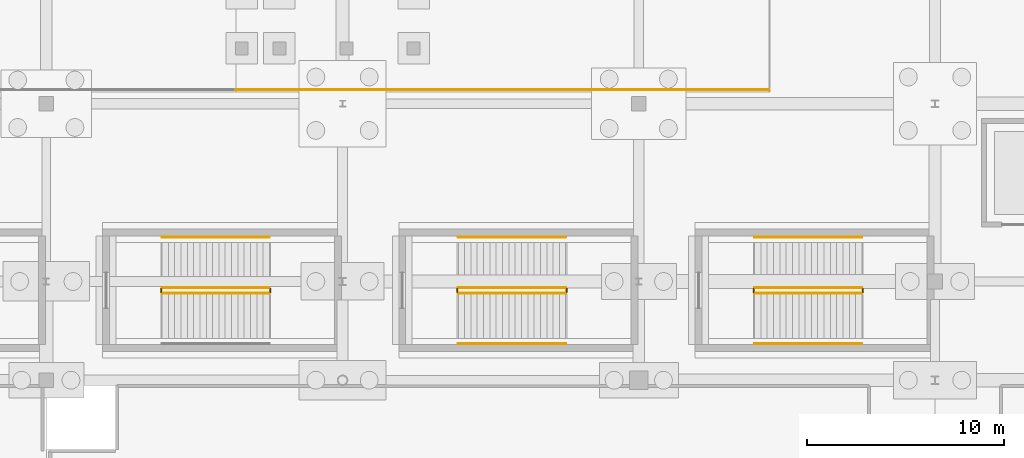
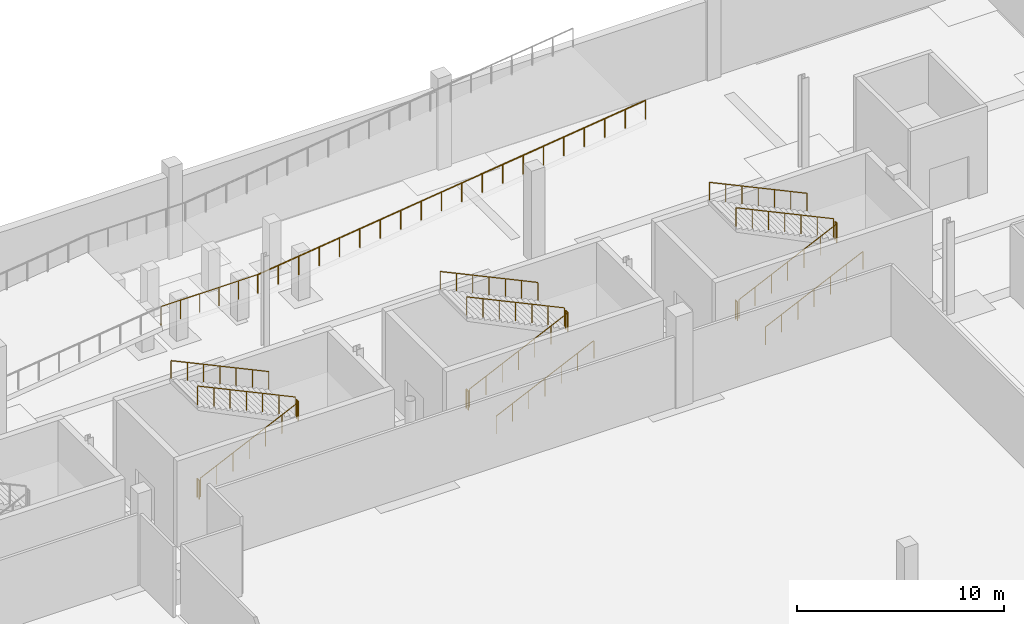
# One storey, part 52 of 58: 19 railings.
"""IFC4 building model written with IfcOpenShell, lengths in metres."""

from ifc_helpers import new_model, si_unit, direction, frame, origin, origin_2d, place, context, subcontext, project, spatial, circle, extrude, material, type_object, element, save


model = new_model("IFC4")

# Units and contexts
model_context = context("Model", 3, precision=1e-05, world=origin(), true_north=direction((0.0, 1.0)))
body_context = subcontext(model_context, "Body", "Model", "MODEL_VIEW")
ifc_project = project(units=[si_unit("LENGTHUNIT", "METRE"), si_unit("AREAUNIT", "SQUARE_METRE"), si_unit("VOLUMEUNIT", "CUBIC_METRE"), si_unit("PLANEANGLEUNIT", "RADIAN"), si_unit("MASSUNIT", "GRAM", prefix="KILO")], contexts=[model_context])

# Site, building, storey
site_placement = place(None, origin())
site = spatial("IfcSite", under=ifc_project, at=site_placement, CompositionType="ELEMENT")
building_placement = place(site_placement, origin())
building = spatial("IfcBuilding", under=site, at=building_placement, Name="Qamarlyn Nura Convention Centre", CompositionType="ELEMENT")
storey_placement = place(building_placement, frame((0.0, 0.0, -5.39990234375)))
storey = spatial("IfcBuildingStorey", under=building, at=storey_placement, Name="B01", CompositionType="ELEMENT", Elevation=-5.39990234375)

# Railings
ifc_material = material(Name="Marine Grade 316 stainless steel", Category="steel")
railing_type_1 = type_object("IfcRailingType", Name="GRD-STAIR-112", PredefinedType="BALUSTRADE", material=ifc_material)
railing_1_placement = place(storey_placement, frame((35.860107421875, 107.409912109375, 0.14990234375)))
element("IfcRailing", 1, at=railing_1_placement, inside=storey, type_object=railing_type_1, Name="B01 ST-02 stair guard 1", PredefinedType="BALUSTRADE", context=body_context, shape_type="SweptSolid", body=[
    extrude(circle(Radius=0.02392578125, at=origin_2d()), frame((0.0, 0.0, 1.09619140625), z_axis=(0.90545405566, 0.0, 0.424444287379), x_axis=(0.0, 1.0, 0.0)), (0.0, 0.0, 1.0), 6.008056640625),
    extrude(circle(Radius=0.02099609375, at=origin_2d()), origin(), (0.0, 0.0, 1.0), 1.070068359375),
    extrude(circle(Radius=0.02099609375, at=origin_2d()), frame((0.90673828125, 0.0, 0.425048828125)), (0.0, 0.0, 1.0), 1.070068359375),
    extrude(circle(Radius=0.02099609375, at=origin_2d()), frame((1.813232421875, 0.0, 0.85009765625)), (0.0, 0.0, 1.0), 1.070068359375),
    extrude(circle(Radius=0.02099609375, at=origin_2d()), frame((2.719970703125, 0.0, 1.27490234375)), (0.0, 0.0, 1.0), 1.070068359375),
    extrude(circle(Radius=0.02099609375, at=origin_2d()), frame((3.626708984375, 0.0, 1.699951171875)), (0.0, 0.0, 1.0), 1.070068359375),
    extrude(circle(Radius=0.02099609375, at=origin_2d()), frame((4.533203125, 0.0, 2.125)), (0.0, 0.0, 1.0), 1.070068359375),
    extrude(circle(Radius=0.02099609375, at=origin_2d()), frame((5.43994140625, 0.0, 2.550048828125)), (0.0, 0.0, 1.0), 1.070068359375),
])
railing_2_placement = place(storey_placement, frame((41.35009765625, 107.4599609375, 2.699951171875)))
element("IfcRailing", 2, at=railing_2_placement, inside=storey, type_object=railing_type_1, Name="B01 ST-02 stair guard 2", PredefinedType="BALUSTRADE", context=body_context, shape_type="SweptSolid", body=[
    extrude(circle(Radius=0.02392578125, at=origin_2d()), frame((0.0, 0.0, 1.09619140625), z_axis=(0.0, 1.0, 0.0), x_axis=(-1.0, 0.0, 0.0)), (0.0, 0.0, 1.0), 0.179931640625),
    extrude(circle(Radius=0.02099609375, at=origin_2d()), origin(), (0.0, 0.0, 1.0), 1.070068359375),
    extrude(circle(Radius=0.02099609375, at=origin_2d()), frame((0.0, 0.179931640625, 0.0)), (0.0, 0.0, 1.0), 1.070068359375),
])
railing_3_placement = place(storey_placement, frame((41.300048828125, 107.68994140625, 2.849853515625)))
element("IfcRailing", 3, at=railing_3_placement, inside=storey, type_object=railing_type_1, Name="B01 ST-02 stair guard 3", PredefinedType="BALUSTRADE", context=body_context, shape_type="SweptSolid", body=[
    extrude(circle(Radius=0.02392578125, at=origin_2d()), frame((0.0, 0.0, 1.09619140625), z_axis=(-0.90545405566, 0.0, 0.424444287379), x_axis=(0.0, -1.0, 0.0)), (0.0, 0.0, 1.0), 6.008056640625),
    extrude(circle(Radius=0.02099609375, at=origin_2d()), origin(), (0.0, 0.0, 1.0), 1.070068359375),
    extrude(circle(Radius=0.02099609375, at=origin_2d()), frame((-0.90673828125, 0.0, 0.425048828125)), (0.0, 0.0, 1.0), 1.070068359375),
    extrude(circle(Radius=0.02099609375, at=origin_2d()), frame((-1.813232421875, 0.0, 0.85009765625)), (0.0, 0.0, 1.0), 1.070068359375),
    extrude(circle(Radius=0.02099609375, at=origin_2d()), frame((-2.719970703125, 0.0, 1.27490234375)), (0.0, 0.0, 1.0), 1.070068359375),
    extrude(circle(Radius=0.02099609375, at=origin_2d()), frame((-3.626708984375, 0.0, 1.699951171875)), (0.0, 0.0, 1.0), 1.070068359375),
    extrude(circle(Radius=0.02099609375, at=origin_2d()), frame((-4.533203125, 0.0, 2.125)), (0.0, 0.0, 1.0), 1.070068359375),
    extrude(circle(Radius=0.02099609375, at=origin_2d()), frame((-5.43994140625, 0.0, 2.550048828125)), (0.0, 0.0, 1.0), 1.070068359375),
])
railing_4_placement = place(storey_placement, frame((35.81005859375, 107.4599609375, 0.0)))
element("IfcRailing", 4, at=railing_4_placement, inside=storey, type_object=railing_type_1, Name="B01 ST-02 stair guard 4", PredefinedType="BALUSTRADE", context=body_context, shape_type="SweptSolid", body=[
    extrude(circle(Radius=0.02392578125, at=origin_2d()), frame((0.0, 0.0, 1.09619140625), z_axis=(0.0, 1.0, 0.0), x_axis=(-1.0, 0.0, 0.0)), (0.0, 0.0, 1.0), 0.179931640625),
    extrude(circle(Radius=0.02099609375, at=origin_2d()), origin(), (0.0, 0.0, 1.0), 1.070068359375),
    extrude(circle(Radius=0.02099609375, at=origin_2d()), frame((0.0, 0.179931640625, 0.0)), (0.0, 0.0, 1.0), 1.070068359375),
])
railing_5_placement = place(storey_placement, frame((50.860107421875, 107.409912109375, 0.14990234375)))
element("IfcRailing", 5, at=railing_5_placement, inside=storey, type_object=railing_type_1, Name="B01 ST-03 stair guard 1", PredefinedType="BALUSTRADE", context=body_context, shape_type="SweptSolid", body=[
    extrude(circle(Radius=0.02392578125, at=origin_2d()), frame((0.0, 0.0, 1.09619140625), z_axis=(0.90545405566, 0.0, 0.424444287379), x_axis=(0.0, 1.0, 0.0)), (0.0, 0.0, 1.0), 6.008056640625),
    extrude(circle(Radius=0.02099609375, at=origin_2d()), origin(), (0.0, 0.0, 1.0), 1.070068359375),
    extrude(circle(Radius=0.02099609375, at=origin_2d()), frame((0.90673828125, 0.0, 0.425048828125)), (0.0, 0.0, 1.0), 1.070068359375),
    extrude(circle(Radius=0.02099609375, at=origin_2d()), frame((1.813232421875, 0.0, 0.85009765625)), (0.0, 0.0, 1.0), 1.070068359375),
    extrude(circle(Radius=0.02099609375, at=origin_2d()), frame((2.719970703125, 0.0, 1.27490234375)), (0.0, 0.0, 1.0), 1.070068359375),
    extrude(circle(Radius=0.02099609375, at=origin_2d()), frame((3.626708984375, 0.0, 1.699951171875)), (0.0, 0.0, 1.0), 1.070068359375),
    extrude(circle(Radius=0.02099609375, at=origin_2d()), frame((4.533203125, 0.0, 2.125)), (0.0, 0.0, 1.0), 1.070068359375),
    extrude(circle(Radius=0.02099609375, at=origin_2d()), frame((5.43994140625, 0.0, 2.550048828125)), (0.0, 0.0, 1.0), 1.070068359375),
])
railing_6_placement = place(storey_placement, frame((56.35009765625, 107.4599609375, 2.699951171875)))
element("IfcRailing", 6, at=railing_6_placement, inside=storey, type_object=railing_type_1, Name="B01 ST-03 stair guard 2", PredefinedType="BALUSTRADE", context=body_context, shape_type="SweptSolid", body=[
    extrude(circle(Radius=0.02392578125, at=origin_2d()), frame((0.0, 0.0, 1.09619140625), z_axis=(0.0, 1.0, 0.0), x_axis=(-1.0, 0.0, 0.0)), (0.0, 0.0, 1.0), 0.179931640625),
    extrude(circle(Radius=0.02099609375, at=origin_2d()), origin(), (0.0, 0.0, 1.0), 1.070068359375),
    extrude(circle(Radius=0.02099609375, at=origin_2d()), frame((0.0, 0.179931640625, 0.0)), (0.0, 0.0, 1.0), 1.070068359375),
])
railing_7_placement = place(storey_placement, frame((56.300048828125, 107.68994140625, 2.849853515625)))
element("IfcRailing", 7, at=railing_7_placement, inside=storey, type_object=railing_type_1, Name="B01 ST-03 stair guard 3", PredefinedType="BALUSTRADE", context=body_context, shape_type="SweptSolid", body=[
    extrude(circle(Radius=0.02392578125, at=origin_2d()), frame((0.0, 0.0, 1.09619140625), z_axis=(-0.90545405566, 0.0, 0.424444287379), x_axis=(0.0, -1.0, 0.0)), (0.0, 0.0, 1.0), 6.008056640625),
    extrude(circle(Radius=0.02099609375, at=origin_2d()), origin(), (0.0, 0.0, 1.0), 1.070068359375),
    extrude(circle(Radius=0.02099609375, at=origin_2d()), frame((-0.90673828125, 0.0, 0.425048828125)), (0.0, 0.0, 1.0), 1.070068359375),
    extrude(circle(Radius=0.02099609375, at=origin_2d()), frame((-1.813232421875, 0.0, 0.85009765625)), (0.0, 0.0, 1.0), 1.070068359375),
    extrude(circle(Radius=0.02099609375, at=origin_2d()), frame((-2.719970703125, 0.0, 1.27490234375)), (0.0, 0.0, 1.0), 1.070068359375),
    extrude(circle(Radius=0.02099609375, at=origin_2d()), frame((-3.626708984375, 0.0, 1.699951171875)), (0.0, 0.0, 1.0), 1.070068359375),
    extrude(circle(Radius=0.02099609375, at=origin_2d()), frame((-4.533203125, 0.0, 2.125)), (0.0, 0.0, 1.0), 1.070068359375),
    extrude(circle(Radius=0.02099609375, at=origin_2d()), frame((-5.43994140625, 0.0, 2.550048828125)), (0.0, 0.0, 1.0), 1.070068359375),
])
railing_8_placement = place(storey_placement, frame((50.81005859375, 107.4599609375, 0.0)))
element("IfcRailing", 8, at=railing_8_placement, inside=storey, type_object=railing_type_1, Name="B01 ST-03 stair guard 4", PredefinedType="BALUSTRADE", context=body_context, shape_type="SweptSolid", body=[
    extrude(circle(Radius=0.02392578125, at=origin_2d()), frame((0.0, 0.0, 1.09619140625), z_axis=(0.0, 1.0, 0.0), x_axis=(-1.0, 0.0, 0.0)), (0.0, 0.0, 1.0), 0.179931640625),
    extrude(circle(Radius=0.02099609375, at=origin_2d()), origin(), (0.0, 0.0, 1.0), 1.070068359375),
    extrude(circle(Radius=0.02099609375, at=origin_2d()), frame((0.0, 0.179931640625, 0.0)), (0.0, 0.0, 1.0), 1.070068359375),
])
railing_9_placement = place(storey_placement, frame((65.860107421875, 107.409912109375, 0.14990234375)))
element("IfcRailing", 9, at=railing_9_placement, inside=storey, type_object=railing_type_1, Name="B01 ST-04 stair guard 1", PredefinedType="BALUSTRADE", context=body_context, shape_type="SweptSolid", body=[
    extrude(circle(Radius=0.02392578125, at=origin_2d()), frame((0.0, 0.0, 1.09619140625), z_axis=(0.90545405566, 0.0, 0.424444287379), x_axis=(0.0, 1.0, 0.0)), (0.0, 0.0, 1.0), 6.008056640625),
    extrude(circle(Radius=0.02099609375, at=origin_2d()), origin(), (0.0, 0.0, 1.0), 1.070068359375),
    extrude(circle(Radius=0.02099609375, at=origin_2d()), frame((0.90673828125, 0.0, 0.425048828125)), (0.0, 0.0, 1.0), 1.070068359375),
    extrude(circle(Radius=0.02099609375, at=origin_2d()), frame((1.813232421875, 0.0, 0.85009765625)), (0.0, 0.0, 1.0), 1.070068359375),
    extrude(circle(Radius=0.02099609375, at=origin_2d()), frame((2.719970703125, 0.0, 1.27490234375)), (0.0, 0.0, 1.0), 1.070068359375),
    extrude(circle(Radius=0.02099609375, at=origin_2d()), frame((3.626708984375, 0.0, 1.699951171875)), (0.0, 0.0, 1.0), 1.070068359375),
    extrude(circle(Radius=0.02099609375, at=origin_2d()), frame((4.533203125, 0.0, 2.125)), (0.0, 0.0, 1.0), 1.070068359375),
    extrude(circle(Radius=0.02099609375, at=origin_2d()), frame((5.43994140625, 0.0, 2.550048828125)), (0.0, 0.0, 1.0), 1.070068359375),
])
railing_10_placement = place(storey_placement, frame((71.35009765625, 107.4599609375, 2.699951171875)))
element("IfcRailing", 10, at=railing_10_placement, inside=storey, type_object=railing_type_1, Name="B01 ST-04 stair guard 2", PredefinedType="BALUSTRADE", context=body_context, shape_type="SweptSolid", body=[
    extrude(circle(Radius=0.02392578125, at=origin_2d()), frame((0.0, 0.0, 1.09619140625), z_axis=(0.0, 1.0, 0.0), x_axis=(-1.0, 0.0, 0.0)), (0.0, 0.0, 1.0), 0.179931640625),
    extrude(circle(Radius=0.02099609375, at=origin_2d()), origin(), (0.0, 0.0, 1.0), 1.070068359375),
    extrude(circle(Radius=0.02099609375, at=origin_2d()), frame((0.0, 0.179931640625, 0.0)), (0.0, 0.0, 1.0), 1.070068359375),
])
railing_11_placement = place(storey_placement, frame((71.300048828125, 107.68994140625, 2.849853515625)))
element("IfcRailing", 11, at=railing_11_placement, inside=storey, type_object=railing_type_1, Name="B01 ST-04 stair guard 3", PredefinedType="BALUSTRADE", context=body_context, shape_type="SweptSolid", body=[
    extrude(circle(Radius=0.02392578125, at=origin_2d()), frame((0.0, 0.0, 1.09619140625), z_axis=(-0.90545405566, 0.0, 0.424444287379), x_axis=(0.0, -1.0, 0.0)), (0.0, 0.0, 1.0), 6.008056640625),
    extrude(circle(Radius=0.02099609375, at=origin_2d()), origin(), (0.0, 0.0, 1.0), 1.070068359375),
    extrude(circle(Radius=0.02099609375, at=origin_2d()), frame((-0.90673828125, 0.0, 0.425048828125)), (0.0, 0.0, 1.0), 1.070068359375),
    extrude(circle(Radius=0.02099609375, at=origin_2d()), frame((-1.813232421875, 0.0, 0.85009765625)), (0.0, 0.0, 1.0), 1.070068359375),
    extrude(circle(Radius=0.02099609375, at=origin_2d()), frame((-2.719970703125, 0.0, 1.27490234375)), (0.0, 0.0, 1.0), 1.070068359375),
    extrude(circle(Radius=0.02099609375, at=origin_2d()), frame((-3.626708984375, 0.0, 1.699951171875)), (0.0, 0.0, 1.0), 1.070068359375),
    extrude(circle(Radius=0.02099609375, at=origin_2d()), frame((-4.533203125, 0.0, 2.125)), (0.0, 0.0, 1.0), 1.070068359375),
    extrude(circle(Radius=0.02099609375, at=origin_2d()), frame((-5.43994140625, 0.0, 2.550048828125)), (0.0, 0.0, 1.0), 1.070068359375),
])
railing_12_placement = place(storey_placement, frame((65.81005859375, 107.4599609375, 0.0)))
element("IfcRailing", 12, at=railing_12_placement, inside=storey, type_object=railing_type_1, Name="B01 ST-04 stair guard 4", PredefinedType="BALUSTRADE", context=body_context, shape_type="SweptSolid", body=[
    extrude(circle(Radius=0.02392578125, at=origin_2d()), frame((0.0, 0.0, 1.09619140625), z_axis=(0.0, 1.0, 0.0), x_axis=(-1.0, 0.0, 0.0)), (0.0, 0.0, 1.0), 0.179931640625),
    extrude(circle(Radius=0.02099609375, at=origin_2d()), origin(), (0.0, 0.0, 1.0), 1.070068359375),
    extrude(circle(Radius=0.02099609375, at=origin_2d()), frame((0.0, 0.179931640625, 0.0)), (0.0, 0.0, 1.0), 1.070068359375),
])
railing_13_placement = place(storey_placement, frame((39.60009765625, 117.699951171875, 2.699951171875)))
element("IfcRailing", 13, at=railing_13_placement, inside=storey, type_object=railing_type_1, Name="Car park ramp side guard 1-2", PredefinedType="BALUSTRADE", context=body_context, shape_type="SweptSolid", body=[
    extrude(circle(Radius=0.02392578125, at=origin_2d()), frame((0.0, 0.0, 1.09619140625), z_axis=(1.0, 0.0, 0.0), x_axis=(0.0, 1.0, 0.0)), (0.0, 0.0, 1.0), 5.39990234375),
    extrude(circle(Radius=0.02099609375, at=origin_2d()), origin(), (0.0, 0.0, 1.0), 1.070068359375),
    extrude(circle(Radius=0.02099609375, at=origin_2d()), frame((1.080078125, 0.0, 0.0)), (0.0, 0.0, 1.0), 1.070068359375),
    extrude(circle(Radius=0.02099609375, at=origin_2d()), frame((2.159912109375, 0.0, 0.0)), (0.0, 0.0, 1.0), 1.070068359375),
    extrude(circle(Radius=0.02099609375, at=origin_2d()), frame((3.239990234375, 0.0, 0.0)), (0.0, 0.0, 1.0), 1.070068359375),
    extrude(circle(Radius=0.02099609375, at=origin_2d()), frame((4.31982421875, 0.0, 0.0)), (0.0, 0.0, 1.0), 1.070068359375),
    extrude(circle(Radius=0.02099609375, at=origin_2d()), frame((5.39990234375, 0.0, 0.0)), (0.0, 0.0, 1.0), 1.070068359375),
])
railing_14_placement = place(storey_placement, frame((45.0, 117.699951171875, 2.699951171875)))
element("IfcRailing", 14, at=railing_14_placement, inside=storey, type_object=railing_type_1, Name="Car park ramp side guard 1-3", PredefinedType="BALUSTRADE", context=body_context, shape_type="SweptSolid", body=[
    extrude(circle(Radius=0.02392578125, at=origin_2d()), frame((0.0, 0.0, 1.09619140625), z_axis=(0.992278221801, 0.0, 0.124031973856), x_axis=(0.0, 1.0, 0.0)), (0.0, 0.0, 1.0), 21.76806640625),
    extrude(circle(Radius=0.02099609375, at=origin_2d()), origin(), (0.0, 0.0, 1.0), 1.070068359375),
    extrude(circle(Radius=0.02099609375, at=origin_2d()), frame((1.136962890625, 0.0, 0.14208984375)), (0.0, 0.0, 1.0), 1.070068359375),
    extrude(circle(Radius=0.02099609375, at=origin_2d()), frame((2.273681640625, 0.0, 0.2841796875)), (0.0, 0.0, 1.0), 1.070068359375),
    extrude(circle(Radius=0.02099609375, at=origin_2d()), frame((3.41064453125, 0.0, 0.42626953125)), (0.0, 0.0, 1.0), 1.070068359375),
    extrude(circle(Radius=0.02099609375, at=origin_2d()), frame((4.54736328125, 0.0, 0.568359375)), (0.0, 0.0, 1.0), 1.070068359375),
    extrude(circle(Radius=0.02099609375, at=origin_2d()), frame((5.684326171875, 0.0, 0.71044921875)), (0.0, 0.0, 1.0), 1.070068359375),
    extrude(circle(Radius=0.02099609375, at=origin_2d()), frame((6.821044921875, 0.0, 0.8525390625)), (0.0, 0.0, 1.0), 1.070068359375),
    extrude(circle(Radius=0.02099609375, at=origin_2d()), frame((7.9580078125, 0.0, 0.99462890625)), (0.0, 0.0, 1.0), 1.070068359375),
    extrude(circle(Radius=0.02099609375, at=origin_2d()), frame((9.0947265625, 0.0, 1.13671875)), (0.0, 0.0, 1.0), 1.070068359375),
    extrude(circle(Radius=0.02099609375, at=origin_2d()), frame((10.231689453125, 0.0, 1.27880859375)), (0.0, 0.0, 1.0), 1.070068359375),
    extrude(circle(Radius=0.02099609375, at=origin_2d()), frame((11.368408203125, 0.0, 1.421142578125)), (0.0, 0.0, 1.0), 1.070068359375),
    extrude(circle(Radius=0.02099609375, at=origin_2d()), frame((12.50537109375, 0.0, 1.563232421875)), (0.0, 0.0, 1.0), 1.070068359375),
    extrude(circle(Radius=0.02099609375, at=origin_2d()), frame((13.64208984375, 0.0, 1.705322265625)), (0.0, 0.0, 1.0), 1.070068359375),
    extrude(circle(Radius=0.02099609375, at=origin_2d()), frame((14.779052734375, 0.0, 1.847412109375)), (0.0, 0.0, 1.0), 1.070068359375),
    extrude(circle(Radius=0.02099609375, at=origin_2d()), frame((15.915771484375, 0.0, 1.989501953125)), (0.0, 0.0, 1.0), 1.070068359375),
    extrude(circle(Radius=0.02099609375, at=origin_2d()), frame((17.052734375, 0.0, 2.131591796875)), (0.0, 0.0, 1.0), 1.070068359375),
    extrude(circle(Radius=0.02099609375, at=origin_2d()), frame((18.189453125, 0.0, 2.273681640625)), (0.0, 0.0, 1.0), 1.070068359375),
    extrude(circle(Radius=0.02099609375, at=origin_2d()), frame((19.326416015625, 0.0, 2.415771484375)), (0.0, 0.0, 1.0), 1.070068359375),
    extrude(circle(Radius=0.02099609375, at=origin_2d()), frame((20.463134765625, 0.0, 2.557861328125)), (0.0, 0.0, 1.0), 1.070068359375),
    extrude(circle(Radius=0.02099609375, at=origin_2d()), frame((21.60009765625, 0.0, 2.699951171875)), (0.0, 0.0, 1.0), 1.070068359375),
])
railing_type_2 = type_object("IfcRailingType", Name="HRL-STAIR-090", PredefinedType="HANDRAIL", material=ifc_material)
railing_15_placement = place(storey_placement, frame((41.300048828125, 110.25, 3.002197265625)))
element("IfcRailing", 15, at=railing_15_placement, inside=storey, type_object=railing_type_2, Name="B01 ST-02 stair handrail 2", PredefinedType="HANDRAIL", context=body_context, shape_type="SweptSolid", body=[
    extrude(circle(Radius=0.02392578125, at=origin_2d()), frame((0.0, 0.0, 0.88818359375), z_axis=(-0.90545405566, 0.0, 0.424444287379), x_axis=(0.0, -1.0, 0.0)), (0.0, 0.0, 1.0), 6.008056640625),
    extrude(circle(Radius=0.02099609375, at=origin_2d()), frame((0.0, 0.0, -0.155029296875)), (0.0, 0.0, 1.0), 1.01708984375),
    extrude(circle(Radius=0.02099609375, at=origin_2d()), frame((-0.90673828125, 0.0, 0.27001953125)), (0.0, 0.0, 1.0), 1.01708984375),
    extrude(circle(Radius=0.02099609375, at=origin_2d()), frame((-1.813232421875, 0.0, 0.695068359375)), (0.0, 0.0, 1.0), 1.01708984375),
    extrude(circle(Radius=0.02099609375, at=origin_2d()), frame((-2.719970703125, 0.0, 1.1201171875)), (0.0, 0.0, 1.0), 1.01708984375),
    extrude(circle(Radius=0.02099609375, at=origin_2d()), frame((-3.626708984375, 0.0, 1.544921875)), (0.0, 0.0, 1.0), 1.01708984375),
    extrude(circle(Radius=0.02099609375, at=origin_2d()), frame((-4.533203125, 0.0, 1.969970703125)), (0.0, 0.0, 1.0), 1.01708984375),
    extrude(circle(Radius=0.02099609375, at=origin_2d()), frame((-5.43994140625, 0.0, 2.39501953125)), (0.0, 0.0, 1.0), 1.01708984375),
])
railing_16_placement = place(storey_placement, frame((50.860107421875, 104.85009765625, 0.30224609375)))
element("IfcRailing", 16, at=railing_16_placement, inside=storey, type_object=railing_type_2, Name="B01 ST-03 stair handrail 1", PredefinedType="HANDRAIL", context=body_context, shape_type="SweptSolid", body=[
    extrude(circle(Radius=0.02392578125, at=origin_2d()), frame((0.0, 0.0, 0.88818359375), z_axis=(0.90545405566, 0.0, 0.424444287379), x_axis=(0.0, 1.0, 0.0)), (0.0, 0.0, 1.0), 6.008056640625),
    extrude(circle(Radius=0.02099609375, at=origin_2d()), frame((0.0, 0.0, -0.155029296875)), (0.0, 0.0, 1.0), 1.01708984375),
    extrude(circle(Radius=0.02099609375, at=origin_2d()), frame((0.90673828125, 0.0, 0.27001953125)), (0.0, 0.0, 1.0), 1.01708984375),
    extrude(circle(Radius=0.02099609375, at=origin_2d()), frame((1.813232421875, 0.0, 0.695068359375)), (0.0, 0.0, 1.0), 1.01708984375),
    extrude(circle(Radius=0.02099609375, at=origin_2d()), frame((2.719970703125, 0.0, 1.1201171875)), (0.0, 0.0, 1.0), 1.01708984375),
    extrude(circle(Radius=0.02099609375, at=origin_2d()), frame((3.626708984375, 0.0, 1.544921875)), (0.0, 0.0, 1.0), 1.01708984375),
    extrude(circle(Radius=0.02099609375, at=origin_2d()), frame((4.533203125, 0.0, 1.969970703125)), (0.0, 0.0, 1.0), 1.01708984375),
    extrude(circle(Radius=0.02099609375, at=origin_2d()), frame((5.43994140625, 0.0, 2.39501953125)), (0.0, 0.0, 1.0), 1.01708984375),
])
railing_17_placement = place(storey_placement, frame((56.300048828125, 110.25, 3.002197265625)))
element("IfcRailing", 17, at=railing_17_placement, inside=storey, type_object=railing_type_2, Name="B01 ST-03 stair handrail 2", PredefinedType="HANDRAIL", context=body_context, shape_type="SweptSolid", body=[
    extrude(circle(Radius=0.02392578125, at=origin_2d()), frame((0.0, 0.0, 0.88818359375), z_axis=(-0.90545405566, 0.0, 0.424444287379), x_axis=(0.0, -1.0, 0.0)), (0.0, 0.0, 1.0), 6.008056640625),
    extrude(circle(Radius=0.02099609375, at=origin_2d()), frame((0.0, 0.0, -0.155029296875)), (0.0, 0.0, 1.0), 1.01708984375),
    extrude(circle(Radius=0.02099609375, at=origin_2d()), frame((-0.90673828125, 0.0, 0.27001953125)), (0.0, 0.0, 1.0), 1.01708984375),
    extrude(circle(Radius=0.02099609375, at=origin_2d()), frame((-1.813232421875, 0.0, 0.695068359375)), (0.0, 0.0, 1.0), 1.01708984375),
    extrude(circle(Radius=0.02099609375, at=origin_2d()), frame((-2.719970703125, 0.0, 1.1201171875)), (0.0, 0.0, 1.0), 1.01708984375),
    extrude(circle(Radius=0.02099609375, at=origin_2d()), frame((-3.626708984375, 0.0, 1.544921875)), (0.0, 0.0, 1.0), 1.01708984375),
    extrude(circle(Radius=0.02099609375, at=origin_2d()), frame((-4.533203125, 0.0, 1.969970703125)), (0.0, 0.0, 1.0), 1.01708984375),
    extrude(circle(Radius=0.02099609375, at=origin_2d()), frame((-5.43994140625, 0.0, 2.39501953125)), (0.0, 0.0, 1.0), 1.01708984375),
])
railing_18_placement = place(storey_placement, frame((65.860107421875, 104.85009765625, 0.30224609375)))
element("IfcRailing", 18, at=railing_18_placement, inside=storey, type_object=railing_type_2, Name="B01 ST-04 stair handrail 1", PredefinedType="HANDRAIL", context=body_context, shape_type="SweptSolid", body=[
    extrude(circle(Radius=0.02392578125, at=origin_2d()), frame((0.0, 0.0, 0.88818359375), z_axis=(0.90545405566, 0.0, 0.424444287379), x_axis=(0.0, 1.0, 0.0)), (0.0, 0.0, 1.0), 6.008056640625),
    extrude(circle(Radius=0.02099609375, at=origin_2d()), frame((0.0, 0.0, -0.155029296875)), (0.0, 0.0, 1.0), 1.01708984375),
    extrude(circle(Radius=0.02099609375, at=origin_2d()), frame((0.90673828125, 0.0, 0.27001953125)), (0.0, 0.0, 1.0), 1.01708984375),
    extrude(circle(Radius=0.02099609375, at=origin_2d()), frame((1.813232421875, 0.0, 0.695068359375)), (0.0, 0.0, 1.0), 1.01708984375),
    extrude(circle(Radius=0.02099609375, at=origin_2d()), frame((2.719970703125, 0.0, 1.1201171875)), (0.0, 0.0, 1.0), 1.01708984375),
    extrude(circle(Radius=0.02099609375, at=origin_2d()), frame((3.626708984375, 0.0, 1.544921875)), (0.0, 0.0, 1.0), 1.01708984375),
    extrude(circle(Radius=0.02099609375, at=origin_2d()), frame((4.533203125, 0.0, 1.969970703125)), (0.0, 0.0, 1.0), 1.01708984375),
    extrude(circle(Radius=0.02099609375, at=origin_2d()), frame((5.43994140625, 0.0, 2.39501953125)), (0.0, 0.0, 1.0), 1.01708984375),
])
railing_19_placement = place(storey_placement, frame((71.300048828125, 110.25, 3.002197265625)))
element("IfcRailing", 19, at=railing_19_placement, inside=storey, type_object=railing_type_2, Name="B01 ST-04 stair handrail 2", PredefinedType="HANDRAIL", context=body_context, shape_type="SweptSolid", body=[
    extrude(circle(Radius=0.02392578125, at=origin_2d()), frame((0.0, 0.0, 0.88818359375), z_axis=(-0.90545405566, 0.0, 0.424444287379), x_axis=(0.0, -1.0, 0.0)), (0.0, 0.0, 1.0), 6.008056640625),
    extrude(circle(Radius=0.02099609375, at=origin_2d()), frame((0.0, 0.0, -0.155029296875)), (0.0, 0.0, 1.0), 1.01708984375),
    extrude(circle(Radius=0.02099609375, at=origin_2d()), frame((-0.90673828125, 0.0, 0.27001953125)), (0.0, 0.0, 1.0), 1.01708984375),
    extrude(circle(Radius=0.02099609375, at=origin_2d()), frame((-1.813232421875, 0.0, 0.695068359375)), (0.0, 0.0, 1.0), 1.01708984375),
    extrude(circle(Radius=0.02099609375, at=origin_2d()), frame((-2.719970703125, 0.0, 1.1201171875)), (0.0, 0.0, 1.0), 1.01708984375),
    extrude(circle(Radius=0.02099609375, at=origin_2d()), frame((-3.626708984375, 0.0, 1.544921875)), (0.0, 0.0, 1.0), 1.01708984375),
    extrude(circle(Radius=0.02099609375, at=origin_2d()), frame((-4.533203125, 0.0, 1.969970703125)), (0.0, 0.0, 1.0), 1.01708984375),
    extrude(circle(Radius=0.02099609375, at=origin_2d()), frame((-5.43994140625, 0.0, 2.39501953125)), (0.0, 0.0, 1.0), 1.01708984375),
])

save(model, "model.ifc")
